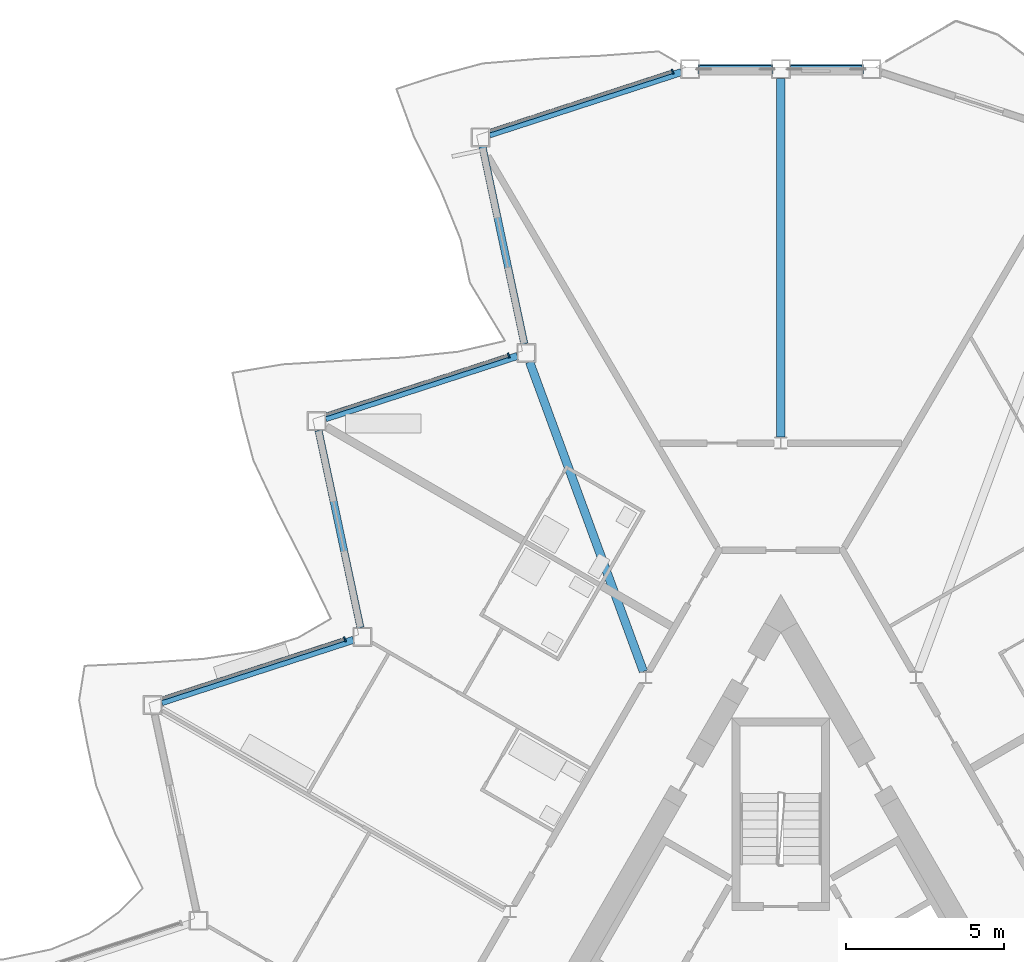
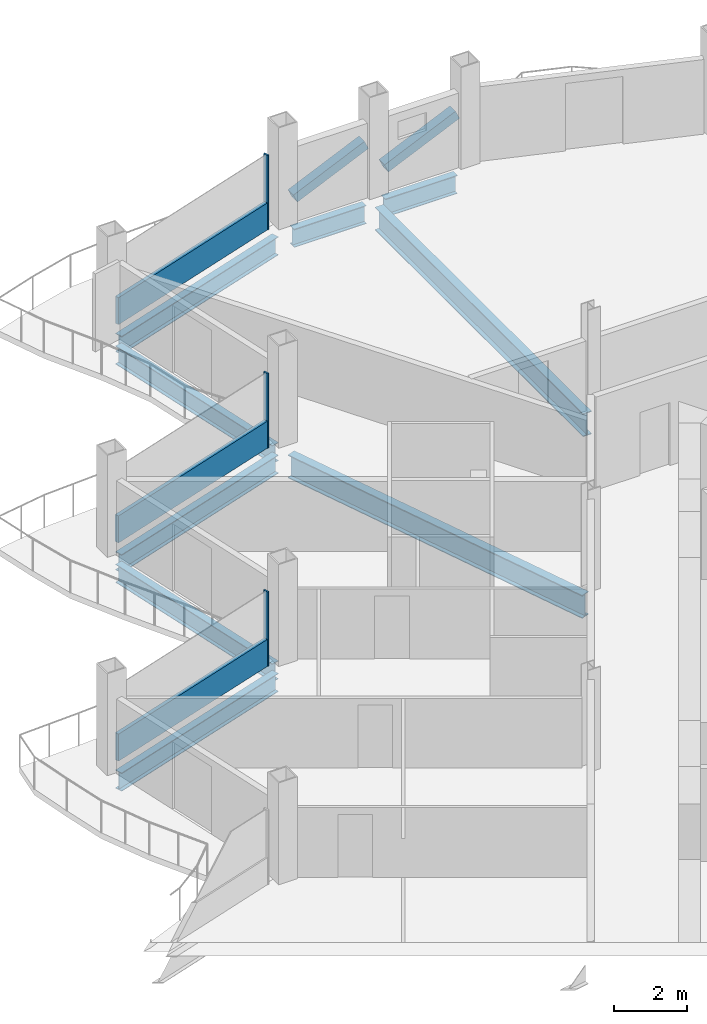
# One storey, part 9 of 26: 9 beams, 8 members, 3 elements without a shape of their own.
"""IFC4 building model written with IfcOpenShell, lengths in metres."""

from ifc_helpers import new_model, si_unit, direction, frame, origin, origin_2d, place, context, subcontext, project, spatial, rectangle, hollow_rectangle, i_section, extrude, material, layer, layer_set, material_profile, profile_set, type_object, element, aggregate, save


model = new_model("IFC4")

# Units and contexts
model_context = context("Model", 3, precision=1e-05, world=origin(), true_north=direction((0.0, 1.0)))
body_context = subcontext(model_context, "Body", "Model", "MODEL_VIEW")
ifc_project = project(units=[si_unit("LENGTHUNIT", "METRE"), si_unit("AREAUNIT", "SQUARE_METRE"), si_unit("VOLUMEUNIT", "CUBIC_METRE"), si_unit("PLANEANGLEUNIT", "RADIAN"), si_unit("MASSUNIT", "GRAM", prefix="KILO")], contexts=[model_context])

# Site, building, storey
site_placement = place(None, origin())
site = spatial("IfcSite", under=ifc_project, at=site_placement, CompositionType="ELEMENT")
building_placement = place(site_placement, origin())
building = spatial("IfcBuilding", under=site, at=building_placement, Name="Cormorant Prow Tower", CompositionType="ELEMENT")
storey_placement = place(building_placement, frame((0.0, 0.0, 342.60009765625)))
storey = spatial("IfcBuildingStorey", under=building, at=storey_placement, Name="L77", CompositionType="ELEMENT", Elevation=342.60009765625)

# Members
ifc_material_1 = material(Name="Structural steel ASTM A500 Gr C", Category="steel")
ifc_material_profile_1 = material_profile(ifc_material_1, hollow_rectangle(XDim=0.3046875, YDim=0.3046875, WallThickness=0.01171875, at=origin_2d()), Name="HSS12x12x1/2")
ifc_profile_set_1 = profile_set([ifc_material_profile_1], Name="Structural steel ASTM A500 Gr C")
member_type_1 = type_object("IfcMemberType", Name="Chamfer brace HSS12x12x1/2", PredefinedType="BRACE", material=ifc_profile_set_1)
for number, where, z_axis, x_axis, name in (
    (1, (0.31494140625, 31.676025390625, 0.740966796875), (0.912529767993, 0.0, 0.409010296359), (0.0, 1.0, 0.0), "Chamfer brace BR3 at N00 L77"),
    (2, (-2.55908203125, 31.676025390625, 0.740966796875), (0.912529767993, 0.0, 0.409010296359), (0.0, 1.0, 0.0), "Chamfer brace BR3 at N01 L77"),
):
    element("IfcMember", number, at=place(storey_placement, frame(where, z_axis=z_axis, x_axis=x_axis)), inside=storey, type_object=member_type_1, Name=name, PredefinedType="BRACE", context=body_context, shape_type="SweptSolid", body=[
        extrude(hollow_rectangle(XDim=0.3046875, YDim=0.3046875, WallThickness=0.01171875, at=origin_2d()), origin(), (0.0, 0.0, 1.0), 2.459228515625),
    ])

# Beams
ifc_material_2 = material(Name="Structural steel ASTM A992 Gr 50", Category="steel")
ifc_material_profile_2 = material_profile(ifc_material_2, i_section(OverallWidth=0.267822265625, OverallDepth=0.77001953125, WebThickness=0.015625, FlangeThickness=0.025390625, at=origin_2d()), Name="W30x132")
ifc_profile_set_2 = profile_set([ifc_material_profile_2], Name="Structural steel ASTM A992 Gr 50")
beam_type_1 = type_object("IfcBeamType", Name="Radial floor beam W30x132", PredefinedType="BEAM", material=ifc_profile_set_2)
beam_1_placement = place(storey_placement, frame((0.0, 20.0087890625, -0.68505859375), z_axis=(0.0, 1.0, 0.0), x_axis=(-1.0, 0.0, 0.0)))
element("IfcBeam", 3, at=beam_1_placement, inside=storey, type_object=beam_type_1, Name="Radial floor beam FB3 1 L77", PredefinedType="BEAM", context=body_context, shape_type="SweptSolid", body=[
    extrude(i_section(OverallWidth=0.267822265625, OverallDepth=0.77001953125, WebThickness=0.015625, FlangeThickness=0.025390625, at=origin_2d()), origin(), (0.0, 0.0, 1.0), 11.3671875),
])
beam_2_placement = place(storey_placement, frame((-4.357421875, 12.5673828125, -0.68505859375), z_axis=(-0.345131226703, 0.938554439739, 0.0), x_axis=(-0.938554439739, -0.345131226703, 0.0)))
element("IfcBeam", 4, at=beam_2_placement, inside=storey, type_object=beam_type_1, Name="Radial floor beam FB3 2 L77", PredefinedType="BEAM", context=body_context, shape_type="SweptSolid", body=[
    extrude(i_section(OverallWidth=0.267822265625, OverallDepth=0.77001953125, WebThickness=0.015625, FlangeThickness=0.025390625, at=origin_2d()), origin(), (0.0, 0.0, 1.0), 10.465087890625),
])

# Curtain wall, member
ifc_material_3 = material(Name="Aluminium 6063-T6", Category="aluminium")
ifc_layer = layer(ifc_material_3, 0.159912109375)
ifc_layer_set = layer_set([ifc_layer], Name="Aluminium 6063-T6")
curtain_wall_type = type_object("IfcCurtainWallType", Name="Residential unitised curtain wall 160", PredefinedType="NOTDEFINED", material=ifc_layer_set)
curtain_wall_1_placement = place(storey_placement, origin())
curtain_wall_1 = element("IfcCurtainWall", 5, at=curtain_wall_1_placement, inside=storey, type_object=curtain_wall_type, Name="Residential curtain wall WNW00", PredefinedType="NOTDEFINED")
ifc_material_4 = material(Name="Aluminium 6063-T6", Category="aluminium")
ifc_material_profile_3 = material_profile(ifc_material_4, rectangle(XDim=0.159912109375, YDim=0.050048828125, at=origin_2d()), Name="Residential mullion 50x160")
ifc_profile_set_3 = profile_set([ifc_material_profile_3], Name="Aluminium 6063-T6")
member_type_2 = type_object("IfcMemberType", Name="Residential mullion 50x160", PredefinedType="MULLION", material=ifc_profile_set_3)
member_1_placement = place(storey_placement, frame((-3.434326171875, 31.596923828125, 0.0), z_axis=(0.0, 0.0, 1.0), x_axis=(0.309017072341, -0.951056490963, 0.0)))
member_1 = element("IfcMember", 6, at=member_1_placement, type_object=member_type_2, Name="Residential mullion WNW00", PredefinedType="MULLION", context=body_context, shape_type="SweptSolid", body=[
    extrude(rectangle(XDim=0.159912109375, YDim=0.050048828125, at=origin_2d()), origin(), (0.0, 0.0, 1.0), 2.48779296875),
])

curtain_wall_2_placement = place(storey_placement, origin())
curtain_wall_2 = element("IfcCurtainWall", 7, at=curtain_wall_2_placement, inside=storey, type_object=curtain_wall_type, Name="Residential curtain wall WNW02", PredefinedType="NOTDEFINED")
member_2_placement = place(storey_placement, frame((-8.6318359375, 22.594482421875, 0.0), z_axis=(0.0, 0.0, 1.0), x_axis=(0.309017072341, -0.951056490963, 0.0)))
member_2 = element("IfcMember", 8, at=member_2_placement, type_object=member_type_2, Name="Residential mullion WNW02", PredefinedType="MULLION", context=body_context, shape_type="SweptSolid", body=[
    extrude(rectangle(XDim=0.159912109375, YDim=0.050048828125, at=origin_2d()), origin(), (0.0, 0.0, 1.0), 2.48779296875),
])

curtain_wall_3_placement = place(storey_placement, origin())
curtain_wall_3 = element("IfcCurtainWall", 9, at=curtain_wall_3_placement, inside=storey, type_object=curtain_wall_type, Name="Residential curtain wall WNW04", PredefinedType="NOTDEFINED")
member_3_placement = place(storey_placement, frame((-13.829345703125, 13.592041015625, 0.0), z_axis=(0.0, 0.0, 1.0), x_axis=(0.309017030329, -0.951056504613, 0.0)))
member_3 = element("IfcMember", 10, at=member_3_placement, type_object=member_type_2, Name="Residential mullion WNW04", PredefinedType="MULLION", context=body_context, shape_type="SweptSolid", body=[
    extrude(rectangle(XDim=0.159912109375, YDim=0.050048828125, at=origin_2d()), origin(), (0.0, 0.0, 1.0), 2.48779296875),
])

# Member
ifc_material_5 = material(Name="Terracotta", Category="masonry")
ifc_material_profile_4 = material_profile(ifc_material_5, rectangle(XDim=0.1201171875, YDim=0.89990234375, at=origin_2d()), Name="Residential terracotta spandrel rail 120x900")
ifc_profile_set_4 = profile_set([ifc_material_profile_4], Name="Terracotta")
member_type_3 = type_object("IfcMemberType", Name="Residential terracotta spandrel rail 120x900", PredefinedType="USERDEFINED", material=ifc_profile_set_4)
member_4_placement = place(storey_placement, frame((-3.4580078125, 31.589111328125, 0.449951171875), z_axis=(-0.951062707515, -0.30899793911, 0.0), x_axis=(0.30899793911, -0.951062707515, 0.0)))
member_4 = element("IfcMember", 11, at=member_4_placement, type_object=member_type_3, Name="Residential spandrel rail WNW00", ObjectType="TRANSOM", PredefinedType="USERDEFINED", context=body_context, shape_type="SweptSolid", body=[
    extrude(rectangle(XDim=0.1201171875, YDim=0.89990234375, at=origin_2d()), origin(), (0.0, 0.0, 1.0), 6.075927734375),
])

aggregate(curtain_wall_1, [member_1, member_4])

member_5_placement = place(storey_placement, frame((-8.655517578125, 22.586669921875, 0.449951171875), z_axis=(-0.951066543841, -0.308986131058, 0.0), x_axis=(0.308986131058, -0.951066543841, 0.0)))
member_5 = element("IfcMember", 12, at=member_5_placement, type_object=member_type_3, Name="Residential spandrel rail WNW02", ObjectType="TRANSOM", PredefinedType="USERDEFINED", context=body_context, shape_type="SweptSolid", body=[
    extrude(rectangle(XDim=0.1201171875, YDim=0.89990234375, at=origin_2d()), origin(), (0.0, 0.0, 1.0), 6.076171875),
])

aggregate(curtain_wall_2, [member_2, member_5])

member_6_placement = place(storey_placement, frame((-13.853271484375, 13.58447265625, 0.449951171875), z_axis=(-0.951050898488, -0.309034283674, 0.0), x_axis=(0.309034283674, -0.951050898488, 0.0)))
member_6 = element("IfcMember", 13, at=member_6_placement, type_object=member_type_3, Name="Residential spandrel rail WNW04", ObjectType="TRANSOM", PredefinedType="USERDEFINED", context=body_context, shape_type="SweptSolid", body=[
    extrude(rectangle(XDim=0.1201171875, YDim=0.89990234375, at=origin_2d()), origin(), (0.0, 0.0, 1.0), 6.075927734375),
])

aggregate(curtain_wall_3, [member_3, member_6])

# Beams
ifc_material_6 = material(Name="Structural steel ASTM A992 Gr 50", Category="steel")
ifc_material_profile_5 = material_profile(ifc_material_6, i_section(OverallWidth=0.22900390625, OverallDepth=0.612060546875, WebThickness=0.011962890625, FlangeThickness=0.01953125, at=origin_2d()), Name="W24x84")
ifc_profile_set_5 = profile_set([ifc_material_profile_5], Name="Structural steel ASTM A992 Gr 50")
beam_type_2 = type_object("IfcBeamType", Name="Spandrel beam W24x84", PredefinedType="SPANDREL", material=ifc_profile_set_5)
for number, where, z_axis, x_axis, name in (
    (14, (2.57373046875, 31.676025390625, -0.606201171875), (-1.0, 0.0, 0.0), (0.0, -1.0, 0.0), "Spandrel beam SB3 N00-N01 L77"),
    (15, (-0.300048828125, 31.676025390625, -0.606201171875), (-1.0, 0.0, 0.0), (0.0, -1.0, 0.0), "Spandrel beam SB3 N01-WNW00 L77"),
):
    element("IfcBeam", number, at=place(storey_placement, frame(where, z_axis=z_axis, x_axis=x_axis)), inside=storey, type_object=beam_type_2, Name=name, PredefinedType="SPANDREL", context=body_context, shape_type="SweptSolid", body=[
        extrude(i_section(OverallWidth=0.22900390625, OverallDepth=0.612060546875, WebThickness=0.011962890625, FlangeThickness=0.01953125, at=origin_2d()), origin(), (0.0, 0.0, 1.0), 2.273681640625),
    ])
beam_3_placement = place(storey_placement, frame((-3.1591796875, 31.583251953125, -0.606201171875), z_axis=(-0.951064359156, -0.308992855489, 0.0), x_axis=(0.308992855489, -0.951064359156, 0.0)))
element("IfcBeam", 16, at=beam_3_placement, inside=storey, type_object=beam_type_2, Name="Spandrel beam SB3 WNW00-WNW01 L77", PredefinedType="SPANDREL", context=body_context, shape_type="SweptSolid", body=[
    extrude(i_section(OverallWidth=0.22900390625, OverallDepth=0.612060546875, WebThickness=0.011962890625, FlangeThickness=0.01953125, at=origin_2d()), origin(), (0.0, 0.0, 1.0), 6.39599609375),
])
beam_4_placement = place(storey_placement, frame((-9.465087890625, 29.220703125, -0.606201171875), z_axis=(0.20791262393, -0.978147402394, 0.0), x_axis=(0.978147402394, 0.20791262393, 0.0)))
element("IfcBeam", 17, at=beam_4_placement, inside=storey, type_object=beam_type_2, Name="Spandrel beam SB3 WNW01-WNW02 L77", PredefinedType="SPANDREL", context=body_context, shape_type="SweptSolid", body=[
    extrude(i_section(OverallWidth=0.22900390625, OverallDepth=0.612060546875, WebThickness=0.011962890625, FlangeThickness=0.01953125, at=origin_2d()), origin(), (0.0, 0.0, 1.0), 6.396240234375),
])
for number, where, z_axis, x_axis, name in (
    (18, (-8.358154296875, 22.578369140625, -0.606201171875), (-0.95105314132, -0.309027381286, 0.0), (0.309027381286, -0.95105314132, 0.0), "Spandrel beam SB3 WNW02-WNW03 L77"),
    (19, (-14.6640625, 20.215576171875, -0.606201171875), (0.207920386839, -0.978145752297, 0.0), (0.978145752297, 0.207920386839, 0.0), "Spandrel beam SB3 WNW03-WNW04 L77"),
    (20, (-13.557373046875, 13.5732421875, -0.606201171875), (-0.95105314132, -0.309027381286, 0.0), (0.309027381286, -0.95105314132, 0.0), "Spandrel beam SB3 WNW04-WNW05 L77"),
):
    element("IfcBeam", number, at=place(storey_placement, frame(where, z_axis=z_axis, x_axis=x_axis)), inside=storey, type_object=beam_type_2, Name=name, PredefinedType="SPANDREL", context=body_context, shape_type="SweptSolid", body=[
        extrude(i_section(OverallWidth=0.22900390625, OverallDepth=0.612060546875, WebThickness=0.011962890625, FlangeThickness=0.01953125, at=origin_2d()), origin(), (0.0, 0.0, 1.0), 6.39599609375),
    ])

save(model, "model.ifc")
